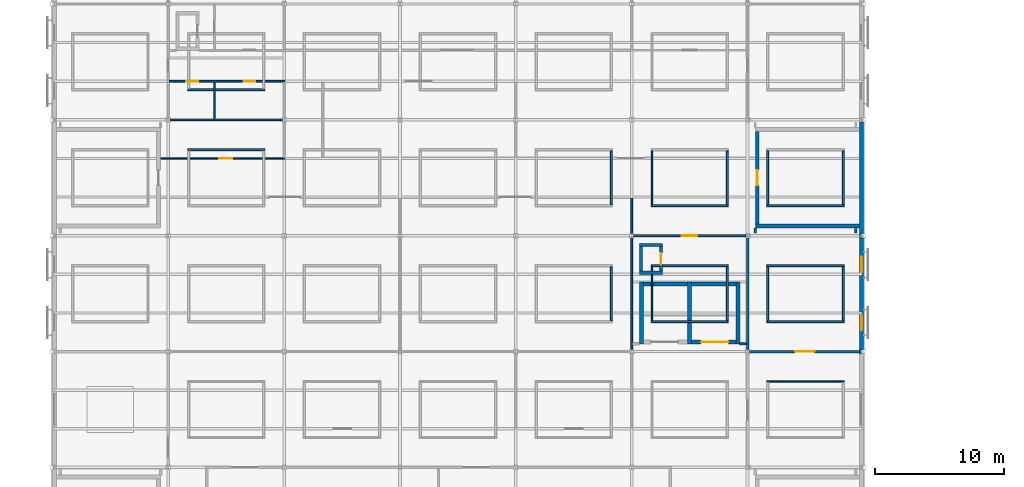
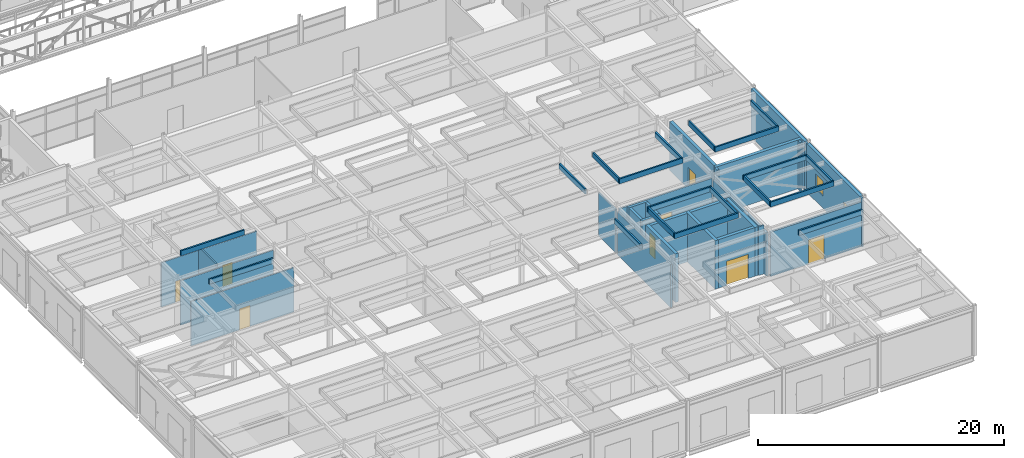
# One storey, part 80 of 115: 47 walls, 8 doors, 2 windows, 10 openings.
"""IFC4 building model written with IfcOpenShell, lengths in metres."""

import ifcopenshell
import ifcopenshell.guid

model = None  # the IFC model being written
_history = None  # IfcOwnerHistory: only IFC2X3 demands one
_inside = {}  # id of a spatial element -> (the spatial element, [elements in it])
_under = {}  # id of a project, library or spatial element -> (it, [spatial elements below it])
_declared = {}  # id of a project -> (the project, [libraries it declares])
_typed = {}  # id of a type object -> (the type object, [elements of that type])
_made_of = {}  # id of a material, layer set ... -> (it, [elements and type objects made of it])


def new_model(schema):
    """Start an empty IFC model of exactly this schema.

    Asked for "IFC4X3", IfcOpenShell would pick the latest addendum, in which some entities
    have other attributes; the version numbers below select the first issue.
    IFC2X3 requires an IfcOwnerHistory on every rooted entity: one is made here for all.
    """
    global model, _history
    if schema == "IFC4X3":
        model = ifcopenshell.file(schema_version=(4, 3, 0, 0))
    else:
        model = ifcopenshell.file(schema=schema)
    _inside.clear()
    _under.clear()
    _declared.clear()
    _typed.clear()
    _made_of.clear()
    _history = None
    if model.schema == "IFC2X3":
        org = make("IfcOrganization", Name="unknown")
        user = make(
            "IfcPersonAndOrganization",
            ThePerson=make("IfcPerson", FamilyName="unknown"),
            TheOrganization=org,
        )
        app = make(
            "IfcApplication",
            ApplicationDeveloper=org,
            Version="unknown",
            ApplicationFullName="unknown",
            ApplicationIdentifier="unknown",
        )
        _history = make(
            "IfcOwnerHistory",
            OwningUser=user,
            OwningApplication=app,
            ChangeAction="ADDED",
            CreationDate=0,
        )
    return model


def make(cls, **values):
    """One entity of the class cls with the attributes given. An attribute that is None is left unset."""
    return model.create_entity(
        cls, **{name: value for name, value in values.items() if value is not None}
    )


def rooted(cls, **values):
    """An entity with a GlobalId (a new one), such as an element, a storey or a relation."""
    return make(cls, GlobalId=ifcopenshell.guid.new(), OwnerHistory=_history, **values)


def si_unit(unit_type, name, prefix=None):
    """IfcSIUnit, for example si_unit("LENGTHUNIT", "METRE", prefix="MILLI")."""
    return make("IfcSIUnit", UnitType=unit_type, Prefix=prefix, Name=name)


def assignment(units):
    """IfcUnitAssignment: the units of a project."""
    return None if units is None else make("IfcUnitAssignment", Units=units)


def point(xyz):
    """IfcCartesianPoint."""
    return None if xyz is None else make("IfcCartesianPoint", Coordinates=xyz)


def direction(xyz):
    """IfcDirection."""
    return None if xyz is None else make("IfcDirection", DirectionRatios=xyz)


def frame(location, z_axis=None, x_axis=None):
    """IfcAxis2Placement3D, a coordinate frame: its origin and axes. An axis left out is left unset."""
    return make(
        "IfcAxis2Placement3D",
        Location=point(location),
        Axis=direction(z_axis),
        RefDirection=direction(x_axis),
    )


def frame_2d(location, x_axis=None):
    """IfcAxis2Placement2D, a coordinate frame in the plane: its origin and x axis."""
    return make(
        "IfcAxis2Placement2D", Location=point(location), RefDirection=direction(x_axis)
    )


def origin():
    """The frame at (0, 0, 0) with its axes left unset."""
    return frame((0.0, 0.0, 0.0))


def place(relative_to, where):
    """IfcLocalPlacement: puts the frame where relative to a parent placement (None: the world)."""
    return make(
        "IfcLocalPlacement", PlacementRelTo=relative_to, RelativePlacement=where
    )


def context(
    kind, dimensions, precision=None, world=None, true_north=None, identifier=None
):
    """IfcGeometricRepresentationContext, for example the 3D "Model" context."""
    return make(
        "IfcGeometricRepresentationContext",
        ContextIdentifier=identifier,
        ContextType=kind,
        CoordinateSpaceDimension=dimensions,
        Precision=precision,
        WorldCoordinateSystem=world,
        TrueNorth=true_north,
    )


def subcontext(parent, identifier, kind, view, scale=None):
    """IfcGeometricRepresentationSubContext, for example "Body" below "Model"."""
    return make(
        "IfcGeometricRepresentationSubContext",
        ContextIdentifier=identifier,
        ContextType=kind,
        ParentContext=parent,
        TargetScale=scale,
        TargetView=view,
    )


def project(units=None, contexts=None):
    """IfcProject with its units and contexts."""
    return rooted(
        "IfcProject",
        Name="project",
        RepresentationContexts=contexts,
        UnitsInContext=assignment(units),
    )


def spatial(cls, under=None, at=None, **own):
    """A site, building, storey or space (cls), placed at a placement, below another one or the project."""
    s = rooted(cls, ObjectPlacement=at, **own)
    if under is not None:
        _under.setdefault(under.id(), (under, []))[1].append(s)
    return s


def profile(cls, at=None, kind="AREA", **sizes):
    """A parametric profile (cls). Its sizes go by their IFC names, for example OverallWidth=200.0."""
    return make(cls, ProfileType=kind, Position=at, **sizes)


def rectangle(**sizes):
    """IfcRectangleProfileDef."""
    return profile("IfcRectangleProfileDef", **sizes)


def extrude(swept, where, along, depth):
    """IfcExtrudedAreaSolid: the profile swept, set in the frame where, extruded along a direction by depth."""
    return make(
        "IfcExtrudedAreaSolid",
        SweptArea=swept,
        Position=where,
        ExtrudedDirection=direction(along),
        Depth=depth,
    )


def shape(context_of_items, identifier, shape_type, items):
    """IfcShapeRepresentation: the items that make up one representation, for example the "Body"."""
    return make(
        "IfcShapeRepresentation",
        ContextOfItems=context_of_items,
        RepresentationIdentifier=identifier,
        RepresentationType=shape_type,
        Items=items,
    )


def material(Name=None, Category=None):
    """IfcMaterial."""
    return make("IfcMaterial", Name=Name, Category=Category)


def layer(
    of_material, thickness, ventilated=None, Name=None, Category=None, Priority=None
):
    """IfcMaterialLayer: one layer of a wall or slab, of a material (None: an air gap)."""
    return make(
        "IfcMaterialLayer",
        Material=of_material,
        LayerThickness=thickness,
        IsVentilated=ventilated,
        Name=Name,
        Category=Category,
        Priority=Priority,
    )


def layer_set(layers, Name=None):
    """IfcMaterialLayerSet."""
    return make("IfcMaterialLayerSet", MaterialLayers=layers, LayerSetName=Name)


def made_of(thing, what):
    """Note that an element or type object is made of a material, layer set ...; save() writes the relation."""
    if what is not None:
        _made_of.setdefault(what.id(), (what, []))[1].append(thing)
    return thing


def type_object(cls, material=None, **own):
    """A type object (cls), such as IfcWallType, which elements share."""
    return made_of(rooted(cls, **own), material)


def element(
    cls,
    number,
    at=None,
    inside=None,
    cuts=None,
    type_object=None,
    material=None,
    context=None,
    identifier="Body",
    shape_type=None,
    held_by="IfcProductDefinitionShape",
    body=None,
    shapes=None,
    **own,
):
    """One element of the class cls, such as IfcWall. Its Tag is "e" and its number.

    at: its placement. inside: the storey or other place that contains it. cuts: it is an
    opening in that element (IfcRelVoidsElement). A single representation is given by context,
    identifier, shape_type and body (its items); several are given by shapes. held_by: the class
    of the entity that holds the representations. save() writes the other relations.
    """
    e = rooted(cls, Tag="e%d" % number, ObjectPlacement=at, **own)
    if body is not None:
        shapes = [shape(context, identifier, shape_type, body)]
    if shapes is not None:
        e.Representation = make(held_by, Representations=shapes)
    if inside is not None:
        _inside.setdefault(inside.id(), (inside, []))[1].append(e)
    if cuts is not None:
        rooted(
            "IfcRelVoidsElement", RelatingBuildingElement=cuts, RelatedOpeningElement=e
        )
    if type_object is not None:
        _typed.setdefault(type_object.id(), (type_object, []))[1].append(e)
    return made_of(e, material)


def fill(opening, filler):
    """IfcRelFillsElement: the door or window that sits in an opening."""
    return rooted(
        "IfcRelFillsElement",
        RelatingOpeningElement=opening,
        RelatedBuildingElement=filler,
    )


def aggregate(whole, parts):
    """IfcRelAggregates: a whole, such as a stair, and the parts it consists of."""
    return rooted("IfcRelAggregates", RelatingObject=whole, RelatedObjects=parts)


def save(model, path):
    """Write the relations noted so far, then the file.

    IfcRelAggregates (storeys below a building ...), IfcRelContainedInSpatialStructure (elements
    in a storey), IfcRelDefinesByType, IfcRelAssociatesMaterial and IfcRelDeclares: one each for
    every whole, place, type object, material and project.
    """
    for whole, parts in _under.values():
        aggregate(whole, parts)
    for where, things in _inside.values():
        rooted(
            "IfcRelContainedInSpatialStructure",
            RelatedElements=things,
            RelatingStructure=where,
        )
    for kind, things in _typed.values():
        rooted("IfcRelDefinesByType", RelatedObjects=things, RelatingType=kind)
    for what, things in _made_of.values():
        rooted("IfcRelAssociatesMaterial", RelatedObjects=things, RelatingMaterial=what)
    for by, libraries in _declared.values():
        rooted("IfcRelDeclares", RelatingContext=by, RelatedDefinitions=libraries)
    model.write(path)


model = new_model("IFC4")

# Units and contexts
model_context = context("Model", 3, precision=1e-05, world=origin(), true_north=direction((0.0, 1.0)))
body_context = subcontext(model_context, "Body", "Model", "MODEL_VIEW")
ifc_project = project(units=[si_unit("LENGTHUNIT", "METRE"), si_unit("AREAUNIT", "SQUARE_METRE"), si_unit("VOLUMEUNIT", "CUBIC_METRE"), si_unit("PLANEANGLEUNIT", "RADIAN"), si_unit("MASSUNIT", "GRAM", prefix="KILO")], contexts=[model_context])

# Site, building, storey
site_placement = place(None, origin())
site = spatial("IfcSite", under=ifc_project, at=site_placement, CompositionType="ELEMENT")
building_placement = place(site_placement, origin())
building = spatial("IfcBuilding", under=site, at=building_placement, Name="Shorebreak Coast Museum", CompositionType="ELEMENT")
storey_placement = place(building_placement, frame((0.0, 0.0, 11.0)))
storey = spatial("IfcBuildingStorey", under=building, at=storey_placement, Name="L02", CompositionType="ELEMENT", Elevation=11.0)

# Walls
ifc_material_1 = material(Name="Concrete N50 (50 MPa)", Category="concrete")
ifc_layer_1 = layer(ifc_material_1, 0.14990234375)
ifc_layer_set_1 = layer_set([ifc_layer_1], Name="Concrete N50 (50 MPa)")
wall_type_1 = type_object("IfcWallType", Name="Column closure panel 150", PredefinedType="SOLIDWALL", material=ifc_layer_set_1)
wall_1_placement = place(storey_placement, frame((116.77490234375, 17.839111328125, 0.0), z_axis=(0.0, 0.0, 1.0), x_axis=(0.0, 1.0, 0.0)))
element("IfcWall", 1, at=wall_1_placement, inside=storey, type_object=wall_type_1, Name="Column closure panel L02 E 14C", PredefinedType="SOLIDWALL", context=body_context, shape_type="SweptSolid", body=[
    extrude(rectangle(XDim=0.32177734375, YDim=0.14990234375, at=frame_2d((0.160888671875, 0.0))), origin(), (0.0, 0.0, 1.0), 4.824951171875),
])
wall_2_placement = place(storey_placement, frame((116.77490234375, 26.827880859375, 0.0), z_axis=(0.0, 0.0, 1.0), x_axis=(0.0, 1.0, 0.0)))
element("IfcWall", 2, at=wall_2_placement, inside=storey, type_object=wall_type_1, Name="Column closure panel L02 E 14D", PredefinedType="SOLIDWALL", context=body_context, shape_type="SweptSolid", body=[
    extrude(rectangle(XDim=0.322021484375, YDim=0.14990234375, at=frame_2d((0.1611328125, 0.0))), origin(), (0.0, 0.0, 1.0), 4.824951171875),
])
ifc_material_2 = material(Name="Plasterboard on steel stud", Category="steel")
ifc_layer_2 = layer(ifc_material_2, 0.14990234375)
ifc_layer_set_2 = layer_set([ifc_layer_2], Name="Plasterboard on steel stud")
wall_type_2 = type_object("IfcWallType", Name="Fire partition 150", PredefinedType="PARTITIONING", material=ifc_layer_set_2)
wall_3_placement = place(storey_placement, frame((107.39990234375, 18.60009765625, 0.0), z_axis=(0.0, 0.0, 1.0), x_axis=(1.0, 0.0, 0.0)))
element("IfcWall", 3, at=wall_3_placement, inside=storey, type_object=wall_type_2, Name="Partition L02-014", PredefinedType="PARTITIONING", context=body_context, shape_type="SweptSolid", body=[
    extrude(rectangle(XDim=0.5, YDim=0.14990234375, at=frame_2d((0.25, 0.0))), origin(), (0.0, 0.0, 1.0), 4.824951171875),
])

# Wall, opening, door
wall_4_placement = place(storey_placement, frame((99.153564453125, 27.0, 0.0), z_axis=(0.0, 0.0, 1.0), x_axis=(1.0, 0.0, 0.0)))
wall_4 = element("IfcWall", 4, at=wall_4_placement, inside=storey, type_object=wall_type_2, Name="Partition L02-015", PredefinedType="PARTITIONING", context=body_context, shape_type="SweptSolid", body=[
    extrude(rectangle(XDim=8.69287109375, YDim=0.14990234375, at=frame_2d((4.346435546875, 0.0))), origin(), (0.0, 0.0, 1.0), 4.418701171875),
])
opening_1_placement = place(wall_4_placement, frame((3.75, 0.0, 0.0)))
opening_1 = element("IfcOpeningElement", 5, at=opening_1_placement, cuts=wall_4, Name="Opening D2029", PredefinedType="OPENING", context=body_context, shape_type="SweptSolid", body=[
    extrude(rectangle(XDim=1.199951171875, YDim=2.39990234375, at=frame_2d((0.60009765625, 1.199951171875))), frame((0.0, 0.0849609375, 0.0), z_axis=(0.0, -1.0, 0.0), x_axis=(1.0, 0.0, 0.0)), (0.0, 0.0, 1.0), 0.169921875),
])
ifc_material_3 = material(Name="Steel", Category="steel")
door_type_1 = type_object("IfcDoorType", Name="Fire door 1200x2400 60", OperationType="SINGLE_SWING_LEFT", PredefinedType="DOOR", material=ifc_material_3)
door_1_placement = place(opening_1_placement, origin())
door_1 = element("IfcDoor", 6, at=door_1_placement, inside=storey, type_object=door_type_1, Name="Door D2029 Lift Services Room GL", OperationType="SINGLE_SWING_LEFT", OverallHeight=2.39990234375, OverallWidth=1.199951171875, PredefinedType="DOOR", context=body_context, shape_type="SweptSolid", body=[
    extrude(rectangle(XDim=1.199951171875, YDim=2.39990234375, at=frame_2d((0.60009765625, 1.199951171875))), frame((0.0, 0.02490234375, 0.0), z_axis=(0.0, -1.0, 0.0), x_axis=(1.0, 0.0, 0.0)), (0.0, 0.0, 1.0), 0.050048828125),
])
fill(opening_1, door_1)

# Walls
wall_5_placement = place(storey_placement, frame((99.0, 18.1572265625, 0.0), z_axis=(0.0, 0.0, 1.0), x_axis=(0.0, 1.0, 0.0)))
element("IfcWall", 7, at=wall_5_placement, inside=storey, type_object=wall_type_2, Name="Partition L02-146", PredefinedType="PARTITIONING", context=body_context, shape_type="SweptSolid", body=[
    extrude(rectangle(XDim=8.685546875, YDim=0.14990234375, at=frame_2d((4.3427734375, 0.0))), origin(), (0.0, 0.0, 1.0), 4.296875),
])
wall_6_placement = place(storey_placement, frame((99.0, 27.1572265625, 0.0), z_axis=(0.0, 0.0, 1.0), x_axis=(0.0, 1.0, 0.0)))
element("IfcWall", 8, at=wall_6_placement, inside=storey, type_object=wall_type_2, Name="Partition L02-147", PredefinedType="PARTITIONING", context=body_context, shape_type="SweptSolid", body=[
    extrude(rectangle(XDim=2.767822265625, YDim=0.14990234375, at=frame_2d((1.3837890625, 0.0))), origin(), (0.0, 0.0, 1.0), 4.296875),
])

# Wall, opening, door
ifc_material_4 = material(Name="Concrete masonry", Category="masonry")
ifc_layer_3 = layer(ifc_material_4, 0.199951171875)
ifc_layer_set_3 = layer_set([ifc_layer_3], Name="Concrete masonry")
wall_type_3 = type_object("IfcWallType", Name="Fire wall 200", PredefinedType="PARTITIONING", material=ifc_layer_set_3)
wall_7_placement = place(storey_placement, frame((108.153564453125, 18.0, 0.0), z_axis=(0.0, 0.0, 1.0), x_axis=(1.0, 0.0, 0.0)))
wall_7 = element("IfcWall", 9, at=wall_7_placement, inside=storey, type_object=wall_type_3, Name="Partition L02-012", PredefinedType="PARTITIONING", context=body_context, shape_type="SweptSolid", body=[
    extrude(rectangle(XDim=8.54638671875, YDim=0.199951171875, at=frame_2d((4.273193359375, 0.0))), origin(), (0.0, 0.0, 1.0), 4.418701171875),
])
opening_2_placement = place(wall_7_placement, frame((3.550048828125, 0.0, 0.0)))
opening_2 = element("IfcOpeningElement", 10, at=opening_2_placement, cuts=wall_7, Name="Opening D2028", PredefinedType="OPENING", context=body_context, shape_type="SweptSolid", body=[
    extrude(rectangle(XDim=1.5, YDim=2.39990234375, at=frame_2d((0.75, 1.199951171875))), frame((0.0, 0.10986328125, 0.0), z_axis=(0.0, -1.0, 0.0), x_axis=(1.0, 0.0, 0.0)), (0.0, 0.0, 1.0), 0.219970703125),
])
ifc_material_5 = material(Name="Steel", Category="steel")
door_type_2 = type_object("IfcDoorType", Name="Fire door 1500x2400 120", OperationType="DOUBLE_DOOR_SINGLE_SWING", PredefinedType="DOOR", material=ifc_material_5)
door_2_placement = place(opening_2_placement, origin())
door_2 = element("IfcDoor", 11, at=door_2_placement, inside=storey, type_object=door_type_2, Name="Door D2028 Plant Room 2.03", OperationType="DOUBLE_DOOR_SINGLE_SWING", OverallHeight=2.39990234375, OverallWidth=1.5, PredefinedType="DOOR", context=body_context, shape_type="SweptSolid", body=[
    extrude(rectangle(XDim=1.5, YDim=2.39990234375, at=frame_2d((0.75, 1.199951171875))), frame((0.0, 0.02490234375, 0.0), z_axis=(0.0, -1.0, 0.0), x_axis=(1.0, 0.0, 0.0)), (0.0, 0.0, 1.0), 0.050048828125),
])
fill(opening_2, door_2)

# Walls
wall_8_placement = place(storey_placement, frame((108.0, 18.1572265625, 0.0), z_axis=(0.0, 0.0, 1.0), x_axis=(0.0, 1.0, 0.0)))
element("IfcWall", 12, at=wall_8_placement, inside=storey, type_object=wall_type_3, Name="Partition L02-157", PredefinedType="PARTITIONING", context=body_context, shape_type="SweptSolid", body=[
    extrude(rectangle(XDim=8.685546875, YDim=0.199951171875, at=frame_2d((4.3427734375, 0.0))), origin(), (0.0, 0.0, 1.0), 4.296875),
])
wall_9_placement = place(storey_placement, frame((108.60009765625, 27.219970703125, 0.0), z_axis=(0.0, 0.0, 1.0), x_axis=(0.0, 1.0, 0.0)))
element("IfcWall", 13, at=wall_9_placement, inside=storey, type_object=wall_type_3, Name="Partition L02-163", PredefinedType="PARTITIONING", context=body_context, shape_type="SweptSolid", body=[
    extrude(rectangle(XDim=0.380126953125, YDim=0.199951171875, at=frame_2d((0.18994140625, 0.0))), origin(), (0.0, 0.0, 1.0), 4.824951171875),
])
wall_10_placement = place(storey_placement, frame((116.39990234375, 27.219970703125, 0.0), z_axis=(0.0, 0.0, 1.0), x_axis=(0.0, 1.0, 0.0)))
element("IfcWall", 14, at=wall_10_placement, inside=storey, type_object=wall_type_3, Name="Partition L02-172", PredefinedType="PARTITIONING", context=body_context, shape_type="SweptSolid", body=[
    extrude(rectangle(XDim=0.330078125, YDim=0.199951171875, at=frame_2d((0.1650390625, 0.0))), origin(), (0.0, 0.0, 1.0), 4.824951171875),
])

# Wall, opening, door
ifc_material_6 = material(Name="Plasterboard on steel stud", Category="steel")
ifc_layer_4 = layer(ifc_material_6, 0.10009765625)
ifc_layer_set_4 = layer_set([ifc_layer_4], Name="Plasterboard on steel stud")
wall_type_4 = type_object("IfcWallType", Name="Partition 100", PredefinedType="PARTITIONING", material=ifc_layer_set_4)
wall_11_placement = place(storey_placement, frame((62.39990234375, 33.0, 0.0), z_axis=(0.0, 0.0, 1.0), x_axis=(1.0, 0.0, 0.0)))
wall_11 = element("IfcWall", 15, at=wall_11_placement, inside=storey, type_object=wall_type_4, Name="Partition L02-017", PredefinedType="PARTITIONING", context=body_context, shape_type="SweptSolid", body=[
    extrude(rectangle(XDim=9.650146484375, YDim=0.10009765625, at=frame_2d((4.8251953125, 0.0))), origin(), (0.0, 0.0, 1.0), 4.42236328125),
])
opening_3_placement = place(wall_11_placement, frame((4.550048828125, 0.0, 0.0)))
opening_3 = element("IfcOpeningElement", 16, at=opening_3_placement, cuts=wall_11, Name="Opening D2036", PredefinedType="OPENING", context=body_context, shape_type="SweptSolid", body=[
    extrude(rectangle(XDim=1.0, YDim=2.10009765625, at=frame_2d((0.5, 1.050048828125))), frame((0.0, 0.06005859375, 0.0), z_axis=(0.0, -1.0, 0.0), x_axis=(1.0, 0.0, 0.0)), (0.0, 0.0, 1.0), 0.1201171875),
])
ifc_material_7 = material(Name="Timber", Category="wood")
door_type_3 = type_object("IfcDoorType", Name="Interior door 1000x2100", OperationType="SINGLE_SWING_LEFT", PredefinedType="DOOR", material=ifc_material_7)
door_3_placement = place(opening_3_placement, origin())
door_3 = element("IfcDoor", 17, at=door_3_placement, inside=storey, type_object=door_type_3, Name="Door D2036 Services Store 2.03", OperationType="SINGLE_SWING_LEFT", OverallHeight=2.10009765625, OverallWidth=1.0, PredefinedType="DOOR", context=body_context, shape_type="SweptSolid", body=[
    extrude(rectangle(XDim=1.0, YDim=2.10009765625, at=frame_2d((0.5, 1.050048828125))), frame((0.0, 0.02490234375, 0.0), z_axis=(0.0, -1.0, 0.0), x_axis=(1.0, 0.0, 0.0)), (0.0, 0.0, 1.0), 0.050048828125),
])
fill(opening_3, door_3)

# Wall
ifc_material_8 = material(Name="Plasterboard on steel stud", Category="steel")
ifc_layer_5 = layer(ifc_material_8, 0.125)
ifc_layer_set_5 = layer_set([ifc_layer_5], Name="Plasterboard on steel stud")
wall_type_5 = type_object("IfcWallType", Name="Partition 125", PredefinedType="PARTITIONING", material=ifc_layer_set_5)
wall_12_placement = place(storey_placement, frame((63.153564453125, 36.0, 0.0), z_axis=(0.0, 0.0, 1.0), x_axis=(1.0, 0.0, 0.0)))
element("IfcWall", 18, at=wall_12_placement, inside=storey, type_object=wall_type_5, Name="Partition L02-019", PredefinedType="PARTITIONING", context=body_context, shape_type="SweptSolid", body=[
    extrude(rectangle(XDim=8.69287109375, YDim=0.125, at=frame_2d((4.346435546875, 0.0))), origin(), (0.0, 0.0, 1.0), 4.418701171875),
])

# Wall, openings, doors
wall_13_placement = place(storey_placement, frame((63.0625, 39.0, 0.0), z_axis=(0.0, 0.0, 1.0), x_axis=(1.0, 0.0, 0.0)))
wall_13 = element("IfcWall", 19, at=wall_13_placement, inside=storey, type_object=wall_type_5, Name="Partition L02-020", PredefinedType="PARTITIONING", context=body_context, shape_type="SweptSolid", body=[
    extrude(rectangle(XDim=9.0, YDim=0.125, at=frame_2d((4.5, 0.0))), origin(), (0.0, 0.0, 1.0), 4.42236328125),
])
opening_4_placement = place(wall_13_placement, frame((1.35009765625, 0.0, 0.0)))
opening_4 = element("IfcOpeningElement", 20, at=opening_4_placement, cuts=wall_13, Name="Opening D2039", PredefinedType="OPENING", context=body_context, shape_type="SweptSolid", body=[
    extrude(rectangle(XDim=0.89990234375, YDim=2.10009765625, at=frame_2d((0.449951171875, 1.050048828125))), frame((0.0, 0.072509765625, 0.0), z_axis=(0.0, -1.0, 0.0), x_axis=(1.0, 0.0, 0.0)), (0.0, 0.0, 1.0), 0.14501953125),
])
opening_5_placement = place(wall_13_placement, frame((5.78759765625, 0.0, 0.0)))
opening_5 = element("IfcOpeningElement", 21, at=opening_5_placement, cuts=wall_13, Name="Opening D2040", PredefinedType="OPENING", context=body_context, shape_type="SweptSolid", body=[
    extrude(rectangle(XDim=0.89990234375, YDim=2.10009765625, at=frame_2d((0.449951171875, 1.050048828125))), frame((0.0, 0.072509765625, 0.0), z_axis=(0.0, -1.0, 0.0), x_axis=(1.0, 0.0, 0.0)), (0.0, 0.0, 1.0), 0.14501953125),
])
ifc_material_9 = material(Name="Timber", Category="wood")
door_type_4 = type_object("IfcDoorType", Name="Interior door 900x2100", OperationType="SINGLE_SWING_LEFT", PredefinedType="DOOR", material=ifc_material_9)
door_4_placement = place(opening_4_placement, origin())
door_4 = element("IfcDoor", 22, at=door_4_placement, inside=storey, type_object=door_type_4, Name="Door D2039 Accessible WC S", OperationType="SINGLE_SWING_RIGHT", OverallHeight=2.10009765625, OverallWidth=0.89990234375, PredefinedType="DOOR", context=body_context, shape_type="SweptSolid", body=[
    extrude(rectangle(XDim=0.89990234375, YDim=2.10009765625, at=frame_2d((0.449951171875, 1.050048828125))), frame((0.0, 0.02490234375, 0.0), z_axis=(0.0, -1.0, 0.0), x_axis=(1.0, 0.0, 0.0)), (0.0, 0.0, 1.0), 0.050048828125),
])
fill(opening_4, door_4)
door_5_placement = place(opening_5_placement, origin())
door_5 = element("IfcDoor", 23, at=door_5_placement, inside=storey, type_object=door_type_4, Name="Door D2040 Male WC S", OperationType="SINGLE_SWING_LEFT", OverallHeight=2.10009765625, OverallWidth=0.89990234375, PredefinedType="DOOR", context=body_context, shape_type="SweptSolid", body=[
    extrude(rectangle(XDim=0.89990234375, YDim=2.10009765625, at=frame_2d((0.449951171875, 1.050048828125))), frame((0.0, 0.02490234375, 0.0), z_axis=(0.0, -1.0, 0.0), x_axis=(1.0, 0.0, 0.0)), (0.0, 0.0, 1.0), 0.050048828125),
])
fill(opening_5, door_5)

# Walls
wall_14_placement = place(storey_placement, frame((66.60009765625, 36.0625, 0.0), z_axis=(0.0, 0.0, 1.0), x_axis=(0.0, 1.0, 0.0)))
element("IfcWall", 24, at=wall_14_placement, inside=storey, type_object=wall_type_5, Name="Partition L02-122", PredefinedType="PARTITIONING", context=body_context, shape_type="SweptSolid", body=[
    extrude(rectangle(XDim=2.875, YDim=0.125, at=frame_2d((1.4375, 0.0))), origin(), (0.0, 0.0, 1.0), 4.824951171875),
])
ifc_material_10 = material(Name="Concrete N50 (50 MPa)", Category="concrete")
ifc_layer_6 = layer(ifc_material_10, 0.14990234375)
ifc_layer_set_6 = layer_set([ifc_layer_6], Name="Concrete N50 (50 MPa)")
wall_type_6 = type_object("IfcWallType", Name="Planter wall 150 high 500", PredefinedType="PARAPET", material=ifc_layer_set_6)
wall_15_placement = place(storey_placement, frame((109.5, 15.675048828125, 5.0), z_axis=(0.0, 0.0, 1.0), x_axis=(1.0, 0.0, 0.0)))
element("IfcWall", 25, at=wall_15_placement, inside=storey, type_object=wall_type_6, Name="Planter SDECK 29 north wall", PredefinedType="PARAPET", context=body_context, shape_type="SweptSolid", body=[
    extrude(rectangle(XDim=6.0, YDim=0.14990234375, at=frame_2d((3.0, 0.0))), origin(), (0.0, 0.0, 1.0), 0.5),
])
wall_16_placement = place(storey_placement, frame((97.425048828125, 20.39990234375, 5.0), z_axis=(0.0, 0.0, 1.0), x_axis=(0.0, 1.0, 0.0)))
element("IfcWall", 26, at=wall_16_placement, inside=storey, type_object=wall_type_6, Name="Planter SDECK 34 east wall", PredefinedType="PARAPET", context=body_context, shape_type="SweptSolid", body=[
    extrude(rectangle(XDim=4.2001953125, YDim=0.14990234375, at=frame_2d((2.10009765625, 0.0))), origin(), (0.0, 0.0, 1.0), 0.5),
])
for number, where, z_axis, x_axis, name in (
    (27, (100.5, 20.324951171875, 5.0), (0.0, 0.0, 1.0), (1.0, 0.0, 0.0), "Planter SDECK 35 south wall"),
    (28, (100.5, 24.675048828125, 5.0), (0.0, 0.0, 1.0), (1.0, 0.0, 0.0), "Planter SDECK 35 north wall"),
):
    element("IfcWall", number, at=place(storey_placement, frame(where, z_axis=z_axis, x_axis=x_axis)), inside=storey, type_object=wall_type_6, Name=name, PredefinedType="PARAPET", context=body_context, shape_type="SweptSolid", body=[
        extrude(rectangle(XDim=6.0, YDim=0.14990234375, at=frame_2d((3.0, 0.0))), origin(), (0.0, 0.0, 1.0), 0.5),
    ])
for number, where, z_axis, x_axis, name in (
    (29, (100.574951171875, 20.39990234375, 5.0), (0.0, 0.0, 1.0), (0.0, 1.0, 0.0), "Planter SDECK 35 west wall"),
    (30, (106.425048828125, 20.39990234375, 5.0), (0.0, 0.0, 1.0), (0.0, 1.0, 0.0), "Planter SDECK 35 east wall"),
):
    element("IfcWall", number, at=place(storey_placement, frame(where, z_axis=z_axis, x_axis=x_axis)), inside=storey, type_object=wall_type_6, Name=name, PredefinedType="PARAPET", context=body_context, shape_type="SweptSolid", body=[
        extrude(rectangle(XDim=4.2001953125, YDim=0.14990234375, at=frame_2d((2.10009765625, 0.0))), origin(), (0.0, 0.0, 1.0), 0.5),
    ])
for number, where, z_axis, x_axis, name in (
    (31, (109.5, 20.324951171875, 5.0), (0.0, 0.0, 1.0), (1.0, 0.0, 0.0), "Planter SDECK 36 south wall"),
    (32, (109.5, 24.675048828125, 5.0), (0.0, 0.0, 1.0), (1.0, 0.0, 0.0), "Planter SDECK 36 north wall"),
):
    element("IfcWall", number, at=place(storey_placement, frame(where, z_axis=z_axis, x_axis=x_axis)), inside=storey, type_object=wall_type_6, Name=name, PredefinedType="PARAPET", context=body_context, shape_type="SweptSolid", body=[
        extrude(rectangle(XDim=6.0, YDim=0.14990234375, at=frame_2d((3.0, 0.0))), origin(), (0.0, 0.0, 1.0), 0.5),
    ])
for number, where, z_axis, x_axis, name in (
    (33, (109.574951171875, 20.39990234375, 5.0), (0.0, 0.0, 1.0), (0.0, 1.0, 0.0), "Planter SDECK 36 west wall"),
    (34, (115.425048828125, 20.39990234375, 5.0), (0.0, 0.0, 1.0), (0.0, 1.0, 0.0), "Planter SDECK 36 east wall"),
):
    element("IfcWall", number, at=place(storey_placement, frame(where, z_axis=z_axis, x_axis=x_axis)), inside=storey, type_object=wall_type_6, Name=name, PredefinedType="PARAPET", context=body_context, shape_type="SweptSolid", body=[
        extrude(rectangle(XDim=4.2001953125, YDim=0.14990234375, at=frame_2d((2.10009765625, 0.0))), origin(), (0.0, 0.0, 1.0), 0.5),
    ])
wall_17_placement = place(storey_placement, frame((64.5, 33.675048828125, 5.0), z_axis=(0.0, 0.0, 1.0), x_axis=(1.0, 0.0, 0.0)))
element("IfcWall", 35, at=wall_17_placement, inside=storey, type_object=wall_type_6, Name="Planter SDECK 38 north wall", PredefinedType="PARAPET", context=body_context, shape_type="SweptSolid", body=[
    extrude(rectangle(XDim=6.0, YDim=0.14990234375, at=frame_2d((3.0, 0.0))), origin(), (0.0, 0.0, 1.0), 0.5),
])
wall_18_placement = place(storey_placement, frame((97.425048828125, 29.39990234375, 5.0), z_axis=(0.0, 0.0, 1.0), x_axis=(0.0, 1.0, 0.0)))
element("IfcWall", 36, at=wall_18_placement, inside=storey, type_object=wall_type_6, Name="Planter SDECK 41 east wall", PredefinedType="PARAPET", context=body_context, shape_type="SweptSolid", body=[
    extrude(rectangle(XDim=4.2001953125, YDim=0.14990234375, at=frame_2d((2.10009765625, 0.0))), origin(), (0.0, 0.0, 1.0), 0.5),
])
wall_19_placement = place(storey_placement, frame((100.5, 29.324951171875, 5.0), z_axis=(0.0, 0.0, 1.0), x_axis=(1.0, 0.0, 0.0)))
element("IfcWall", 37, at=wall_19_placement, inside=storey, type_object=wall_type_6, Name="Planter SDECK 42 south wall", PredefinedType="PARAPET", context=body_context, shape_type="SweptSolid", body=[
    extrude(rectangle(XDim=6.0, YDim=0.14990234375, at=frame_2d((3.0, 0.0))), origin(), (0.0, 0.0, 1.0), 0.5),
])
for number, where, z_axis, x_axis, name in (
    (38, (100.574951171875, 29.39990234375, 5.0), (0.0, 0.0, 1.0), (0.0, 1.0, 0.0), "Planter SDECK 42 west wall"),
    (39, (106.425048828125, 29.39990234375, 5.0), (0.0, 0.0, 1.0), (0.0, 1.0, 0.0), "Planter SDECK 42 east wall"),
):
    element("IfcWall", number, at=place(storey_placement, frame(where, z_axis=z_axis, x_axis=x_axis)), inside=storey, type_object=wall_type_6, Name=name, PredefinedType="PARAPET", context=body_context, shape_type="SweptSolid", body=[
        extrude(rectangle(XDim=4.2001953125, YDim=0.14990234375, at=frame_2d((2.10009765625, 0.0))), origin(), (0.0, 0.0, 1.0), 0.5),
    ])
wall_20_placement = place(storey_placement, frame((109.5, 29.324951171875, 5.0), z_axis=(0.0, 0.0, 1.0), x_axis=(1.0, 0.0, 0.0)))
element("IfcWall", 40, at=wall_20_placement, inside=storey, type_object=wall_type_6, Name="Planter SDECK 43 south wall", PredefinedType="PARAPET", context=body_context, shape_type="SweptSolid", body=[
    extrude(rectangle(XDim=6.0, YDim=0.14990234375, at=frame_2d((3.0, 0.0))), origin(), (0.0, 0.0, 1.0), 0.5),
])
for number, where, z_axis, x_axis, name in (
    (41, (109.574951171875, 29.39990234375, 5.0), (0.0, 0.0, 1.0), (0.0, 1.0, 0.0), "Planter SDECK 43 west wall"),
    (42, (115.425048828125, 29.39990234375, 5.0), (0.0, 0.0, 1.0), (0.0, 1.0, 0.0), "Planter SDECK 43 east wall"),
):
    element("IfcWall", number, at=place(storey_placement, frame(where, z_axis=z_axis, x_axis=x_axis)), inside=storey, type_object=wall_type_6, Name=name, PredefinedType="PARAPET", context=body_context, shape_type="SweptSolid", body=[
        extrude(rectangle(XDim=4.2001953125, YDim=0.14990234375, at=frame_2d((2.10009765625, 0.0))), origin(), (0.0, 0.0, 1.0), 0.5),
    ])
wall_21_placement = place(storey_placement, frame((64.5, 38.324951171875, 5.0), z_axis=(0.0, 0.0, 1.0), x_axis=(1.0, 0.0, 0.0)))
element("IfcWall", 43, at=wall_21_placement, inside=storey, type_object=wall_type_6, Name="Planter SDECK 45 south wall", PredefinedType="PARAPET", context=body_context, shape_type="SweptSolid", body=[
    extrude(rectangle(XDim=6.0, YDim=0.14990234375, at=frame_2d((3.0, 0.0))), origin(), (0.0, 0.0, 1.0), 0.5),
])
ifc_material_11 = material(Name="Concrete N50 (50 MPa)", Category="concrete")
ifc_layer_7 = layer(ifc_material_11, 0.25)
ifc_layer_set_7 = layer_set([ifc_layer_7], Name="Concrete N50 (50 MPa)")
wall_type_7 = type_object("IfcWallType", Name="RC riser wall 250", PredefinedType="STANDARD", material=ifc_layer_set_7)
for number, where, z_axis, x_axis, name in (
    (44, (99.60009765625, 24.125, 0.0), (0.0, 0.0, 1.0), (1.0, 0.0, 0.0), "Riser wall R-LBG L02 S"),
    (45, (99.60009765625, 26.27490234375, 0.0), (0.0, 0.0, 1.0), (1.0, 0.0, 0.0), "Riser wall R-LBG L02 N"),
):
    element("IfcWall", number, at=place(storey_placement, frame(where, z_axis=z_axis, x_axis=x_axis)), inside=storey, type_object=wall_type_7, Name=name, PredefinedType="STANDARD", context=body_context, shape_type="SweptSolid", body=[
        extrude(rectangle(XDim=1.7998046875, YDim=0.25, at=frame_2d((0.89990234375, 0.0))), origin(), (0.0, 0.0, 1.0), 4.824951171875),
    ])
wall_22_placement = place(storey_placement, frame((99.72509765625, 24.25, 0.0), z_axis=(0.0, 0.0, 1.0), x_axis=(0.0, 1.0, 0.0)))
element("IfcWall", 46, at=wall_22_placement, inside=storey, type_object=wall_type_7, Name="Riser wall R-LBG L02 W", PredefinedType="STANDARD", context=body_context, shape_type="SweptSolid", body=[
    extrude(rectangle(XDim=1.89990234375, YDim=0.25, at=frame_2d((0.949951171875, 0.0))), origin(), (0.0, 0.0, 1.0), 4.824951171875),
])

# Wall, opening, door
wall_23_placement = place(storey_placement, frame((101.27490234375, 24.25, 0.0), z_axis=(0.0, 0.0, 1.0), x_axis=(0.0, 1.0, 0.0)))
wall_23 = element("IfcWall", 47, at=wall_23_placement, inside=storey, type_object=wall_type_7, Name="Riser wall R-LBG L02 E", PredefinedType="STANDARD", context=body_context, shape_type="SweptSolid", body=[
    extrude(rectangle(XDim=1.89990234375, YDim=0.25, at=frame_2d((0.949951171875, 0.0))), origin(), (0.0, 0.0, 1.0), 4.824951171875),
])
opening_6_placement = place(wall_23_placement, frame((0.5, 0.0, 0.0)))
opening_6 = element("IfcOpeningElement", 48, at=opening_6_placement, cuts=wall_23, Name="Opening D2608", PredefinedType="OPENING", context=body_context, shape_type="SweptSolid", body=[
    extrude(rectangle(XDim=0.89990234375, YDim=2.10009765625, at=frame_2d((0.449951171875, 1.050048828125))), frame((0.0, 0.135009765625, 0.0), z_axis=(0.0, -1.0, 0.0), x_axis=(1.0, 0.0, 0.0)), (0.0, 0.0, 1.0), 0.27001953125),
])
ifc_material_12 = material(Name="Steel Grade 300", Category="steel")
door_type_5 = type_object("IfcDoorType", Name="Riser door 900x2100", OperationType="SINGLE_SWING_LEFT", PredefinedType="DOOR", material=ifc_material_12)
door_6_placement = place(opening_6_placement, origin())
door_6 = element("IfcDoor", 49, at=door_6_placement, inside=storey, type_object=door_type_5, Name="Riser door R-LBG L02", OperationType="SINGLE_SWING_RIGHT", OverallHeight=2.10009765625, OverallWidth=0.89990234375, PredefinedType="DOOR", context=body_context, shape_type="SweptSolid", body=[
    extrude(rectangle(XDim=0.89990234375, YDim=2.10009765625, at=frame_2d((0.449951171875, 1.050048828125))), frame((0.0, 0.02490234375, 0.0), z_axis=(0.0, -1.0, 0.0), x_axis=(1.0, 0.0, 0.0)), (0.0, 0.0, 1.0), 0.050048828125),
])
fill(opening_6, door_6)

# Wall
ifc_material_13 = material(Name="Concrete N50 (50 MPa)", Category="concrete")
ifc_layer_8 = layer(ifc_material_13, 0.300048828125)
ifc_layer_set_8 = layer_set([ifc_layer_8], Name="Concrete N50 (50 MPa)")
wall_type_8 = type_object("IfcWallType", Name="RC wall 300", PredefinedType="SHEAR", material=ifc_layer_set_8)
wall_24_placement = place(storey_placement, frame((108.60009765625, 27.75, 0.0), z_axis=(0.0, 0.0, 1.0), x_axis=(1.0, 0.0, 0.0)))
element("IfcWall", 50, at=wall_24_placement, inside=storey, type_object=wall_type_8, Name="Stair core wall ST14 L02 S", PredefinedType="SHEAR", context=body_context, shape_type="SweptSolid", body=[
    extrude(rectangle(XDim=8.099853515625, YDim=0.300048828125, at=frame_2d((4.0498046875, 0.0))), origin(), (0.0, 0.0, 1.0), 4.824951171875),
])

# Wall, opening, door
wall_25_placement = place(storey_placement, frame((108.75, 27.89990234375, 0.0), z_axis=(0.0, 0.0, 1.0), x_axis=(0.0, 1.0, 0.0)))
wall_25 = element("IfcWall", 51, at=wall_25_placement, inside=storey, type_object=wall_type_8, Name="Stair core wall ST14 L02 W", PredefinedType="SHEAR", context=body_context, shape_type="SweptSolid", body=[
    extrude(rectangle(XDim=7.2001953125, YDim=0.300048828125, at=frame_2d((3.60009765625, 0.0))), origin(), (0.0, 0.0, 1.0), 4.824951171875),
])
opening_7_placement = place(wall_25_placement, frame((3.0, 0.0, 0.0)))
opening_7 = element("IfcOpeningElement", 52, at=opening_7_placement, cuts=wall_25, Name="Opening D2814", PredefinedType="OPENING", context=body_context, shape_type="SweptSolid", body=[
    extrude(rectangle(XDim=1.199951171875, YDim=2.10009765625, at=frame_2d((0.60009765625, 1.050048828125))), frame((0.0, 0.159912109375, 0.0), z_axis=(0.0, -1.0, 0.0), x_axis=(1.0, 0.0, 0.0)), (0.0, 0.0, 1.0), 0.320068359375),
])
ifc_material_14 = material(Name="Steel Grade 300", Category="steel")
door_type_6 = type_object("IfcDoorType", Name="Fire door 1200x2100", OperationType="SINGLE_SWING_LEFT", PredefinedType="DOOR", material=ifc_material_14)
door_7_placement = place(opening_7_placement, origin())
door_7 = element("IfcDoor", 53, at=door_7_placement, inside=storey, type_object=door_type_6, Name="Stair door ST14 L02", OperationType="SINGLE_SWING_RIGHT", OverallHeight=2.10009765625, OverallWidth=1.199951171875, PredefinedType="DOOR", context=body_context, shape_type="SweptSolid", body=[
    extrude(rectangle(XDim=1.199951171875, YDim=2.10009765625, at=frame_2d((0.60009765625, 1.050048828125))), frame((0.0, 0.02490234375, 0.0), z_axis=(0.0, -1.0, 0.0), x_axis=(1.0, 0.0, 0.0)), (0.0, 0.0, 1.0), 0.050048828125),
])
fill(opening_7, door_7)

# Walls
wall_26_placement = place(storey_placement, frame((116.85009765625, 27.14990234375, 0.0), z_axis=(0.0, 0.0, 1.0), x_axis=(0.0, 1.0, 0.0)))
element("IfcWall", 54, at=wall_26_placement, inside=storey, type_object=wall_type_8, Name="Stair core wall ST14 L02 E", PredefinedType="SHEAR", context=body_context, shape_type="SweptSolid", body=[
    extrude(rectangle(XDim=8.7001953125, YDim=0.300048828125, at=frame_2d((4.35009765625, 0.0))), origin(), (0.0, 0.0, 1.0), 4.824951171875),
])
for number, where, z_axis, x_axis, name in (
    (55, (99.75, 18.60009765625, 0.0), (0.0, 0.0, 1.0), (0.0, 1.0, 0.0), "Lift shaft wall LBG L02 1"),
    (56, (103.5, 18.60009765625, 0.0), (0.0, 0.0, 1.0), (0.0, 1.0, 0.0), "Lift shaft wall LBG L02 2"),
    (57, (107.25, 18.60009765625, 0.0), (0.0, 0.0, 1.0), (0.0, 1.0, 0.0), "Lift shaft wall LBG L02 3"),
):
    element("IfcWall", number, at=place(storey_placement, frame(where, z_axis=z_axis, x_axis=x_axis)), inside=storey, type_object=wall_type_8, Name=name, PredefinedType="SHEAR", context=body_context, shape_type="SweptSolid", body=[
        extrude(rectangle(XDim=4.7998046875, YDim=0.300048828125, at=frame_2d((2.39990234375, 0.0))), origin(), (0.0, 0.0, 1.0), 4.824951171875),
    ])
wall_27_placement = place(storey_placement, frame((99.89990234375, 23.25, 0.0), z_axis=(0.0, 0.0, 1.0), x_axis=(1.0, 0.0, 0.0)))
element("IfcWall", 58, at=wall_27_placement, inside=storey, type_object=wall_type_8, Name="Lift shaft wall GL1 L02 B", PredefinedType="SHEAR", context=body_context, shape_type="SweptSolid", body=[
    extrude(rectangle(XDim=3.4501953125, YDim=0.300048828125, at=frame_2d((1.72509765625, 0.0))), origin(), (0.0, 0.0, 1.0), 4.824951171875),
])

# Wall, opening, door
wall_28_placement = place(storey_placement, frame((103.64990234375, 18.75, 0.0), z_axis=(0.0, 0.0, 1.0), x_axis=(1.0, 0.0, 0.0)))
wall_28 = element("IfcWall", 59, at=wall_28_placement, inside=storey, type_object=wall_type_8, Name="Lift shaft wall GL2 L02 F", PredefinedType="SHEAR", context=body_context, shape_type="SweptSolid", body=[
    extrude(rectangle(XDim=3.4501953125, YDim=0.300048828125, at=frame_2d((1.72509765625, 0.0))), origin(), (0.0, 0.0, 1.0), 4.824951171875),
])
opening_8_placement = place(wall_28_placement, frame((0.75, 0.0, 0.0)))
opening_8 = element("IfcOpeningElement", 60, at=opening_8_placement, cuts=wall_28, Name="Opening LD2-GL2", PredefinedType="OPENING", context=body_context, shape_type="SweptSolid", body=[
    extrude(rectangle(XDim=2.10009765625, YDim=2.39990234375, at=frame_2d((1.050048828125, 1.199951171875))), frame((0.0, 0.159912109375, 0.0), z_axis=(0.0, -1.0, 0.0), x_axis=(1.0, 0.0, 0.0)), (0.0, 0.0, 1.0), 0.320068359375),
])
ifc_material_15 = material(Name="Steel Grade 300", Category="steel")
door_type_7 = type_object("IfcDoorType", Name="Landing door 2100x2400", OperationType="DOUBLE_DOOR_SLIDING", PredefinedType="DOOR", material=ifc_material_15)
door_8_placement = place(opening_8_placement, origin())
door_8 = element("IfcDoor", 61, at=door_8_placement, inside=storey, type_object=door_type_7, Name="Landing door GL2 L02", OperationType="DOUBLE_DOOR_SLIDING", OverallHeight=2.39990234375, OverallWidth=2.10009765625, PredefinedType="DOOR", context=body_context, shape_type="SweptSolid", body=[
    extrude(rectangle(XDim=2.10009765625, YDim=2.39990234375, at=frame_2d((1.050048828125, 1.199951171875))), frame((0.0, 0.02490234375, 0.0), z_axis=(0.0, -1.0, 0.0), x_axis=(1.0, 0.0, 0.0)), (0.0, 0.0, 1.0), 0.050048828125),
])
fill(opening_8, door_8)

# Wall
wall_29_placement = place(storey_placement, frame((103.64990234375, 23.25, 0.0), z_axis=(0.0, 0.0, 1.0), x_axis=(1.0, 0.0, 0.0)))
element("IfcWall", 62, at=wall_29_placement, inside=storey, type_object=wall_type_8, Name="Lift shaft wall GL2 L02 B", PredefinedType="SHEAR", context=body_context, shape_type="SweptSolid", body=[
    extrude(rectangle(XDim=3.4501953125, YDim=0.300048828125, at=frame_2d((1.72509765625, 0.0))), origin(), (0.0, 0.0, 1.0), 4.824951171875),
])

# Wall, openings, windows
ifc_material_16 = material(Name="Concrete N50 (50 MPa)", Category="concrete")
ifc_layer_9 = layer(ifc_material_16, 0.300048828125)
ifc_layer_set_9 = layer_set([ifc_layer_9], Name="Concrete N50 (50 MPa)")
wall_type_9 = type_object("IfcWallType", Name="Sand-coloured precast panel 300", PredefinedType="SOLIDWALL", material=ifc_layer_set_9)
wall_30_placement = place(storey_placement, frame((116.85009765625, 18.160888671875, 0.0), z_axis=(0.0, 0.0, 1.0), x_axis=(0.0, 1.0, 0.0)))
wall_30 = element("IfcWall", 63, at=wall_30_placement, inside=storey, type_object=wall_type_9, Name="External wall L02 E 14C", PredefinedType="SOLIDWALL", context=body_context, shape_type="SweptSolid", body=[
    extrude(rectangle(XDim=8.6669921875, YDim=0.300048828125, at=frame_2d((4.33349609375, 0.0))), origin(), (0.0, 0.0, 1.0), 4.824951171875),
])
opening_9_placement = place(wall_30_placement, frame((1.489013671875, 0.0, 1.199951171875)))
opening_9 = element("IfcOpeningElement", 64, at=opening_9_placement, cuts=wall_30, Name="Opening WN2002", PredefinedType="OPENING", context=body_context, shape_type="SweptSolid", body=[
    extrude(rectangle(XDim=1.199951171875, YDim=1.5, at=frame_2d((0.60009765625, 0.75))), frame((0.0, 0.159912109375, 0.0), z_axis=(0.0, -1.0, 0.0), x_axis=(1.0, 0.0, 0.0)), (0.0, 0.0, 1.0), 0.320068359375),
])
opening_10_placement = place(wall_30_placement, frame((5.989013671875, 0.0, 1.199951171875)))
opening_10 = element("IfcOpeningElement", 65, at=opening_10_placement, cuts=wall_30, Name="Opening WN2003", PredefinedType="OPENING", context=body_context, shape_type="SweptSolid", body=[
    extrude(rectangle(XDim=1.199951171875, YDim=1.5, at=frame_2d((0.60009765625, 0.75))), frame((0.0, 0.159912109375, 0.0), z_axis=(0.0, -1.0, 0.0), x_axis=(1.0, 0.0, 0.0)), (0.0, 0.0, 1.0), 0.320068359375),
])
ifc_material_17 = material(Name="Aluminium", Category="aluminium")
window_type = type_object("IfcWindowType", Name="Punched window 1200 x 1500", PartitioningType="SINGLE_PANEL", PredefinedType="WINDOW", material=ifc_material_17)
window_1_placement = place(opening_9_placement, origin())
window_1 = element("IfcWindow", 66, at=window_1_placement, inside=storey, type_object=window_type, Name="Window WN2002", OverallHeight=1.5, OverallWidth=1.199951171875, PartitioningType="SINGLE_PANEL", PredefinedType="WINDOW", context=body_context, shape_type="SweptSolid", body=[
    extrude(rectangle(XDim=1.199951171875, YDim=1.5, at=frame_2d((0.60009765625, 0.75))), frame((0.0, 0.030029296875, 0.0), z_axis=(0.0, -1.0, 0.0), x_axis=(1.0, 0.0, 0.0)), (0.0, 0.0, 1.0), 0.06005859375),
])
fill(opening_9, window_1)
window_2_placement = place(opening_10_placement, origin())
window_2 = element("IfcWindow", 67, at=window_2_placement, inside=storey, type_object=window_type, Name="Window WN2003", OverallHeight=1.5, OverallWidth=1.199951171875, PartitioningType="SINGLE_PANEL", PredefinedType="WINDOW", context=body_context, shape_type="SweptSolid", body=[
    extrude(rectangle(XDim=1.199951171875, YDim=1.5, at=frame_2d((0.60009765625, 0.75))), frame((0.0, 0.030029296875, 0.0), z_axis=(0.0, -1.0, 0.0), x_axis=(1.0, 0.0, 0.0)), (0.0, 0.0, 1.0), 0.06005859375),
])
fill(opening_10, window_2)

save(model, "model.ifc")
